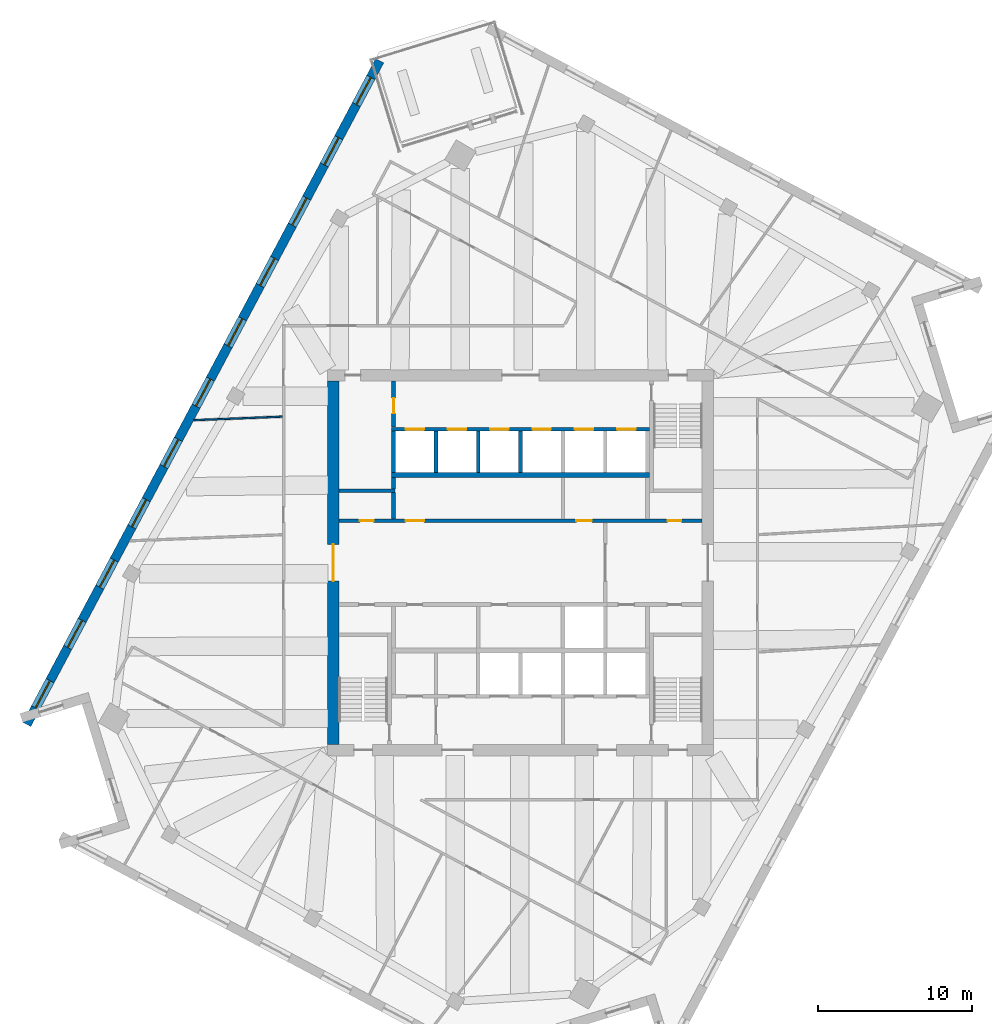
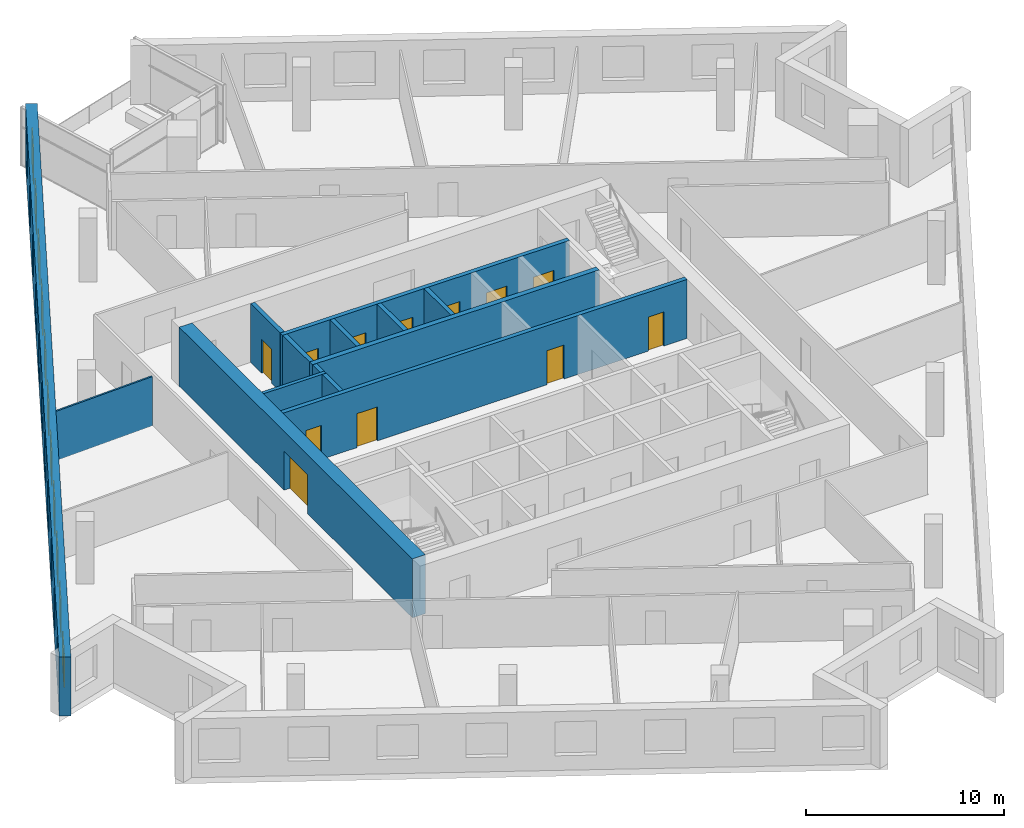
# One storey, part 9 of 13: 14 walls, 12 doors, 11 windows, 23 openings.
"""IFC4 building model written with IfcOpenShell, lengths in metres."""

from ifc_helpers import new_model, si_unit, direction, frame, frame_2d, origin, place, context, subcontext, project, spatial, rectangle, extrude, material, layer, layer_set, type_object, element, fill, save


model = new_model("IFC4")

# Units and contexts
model_context = context("Model", 3, precision=1e-05, world=origin(), true_north=direction((0.0, 1.0)))
body_context = subcontext(model_context, "Body", "Model", "MODEL_VIEW")
ifc_project = project(units=[si_unit("LENGTHUNIT", "METRE"), si_unit("AREAUNIT", "SQUARE_METRE"), si_unit("VOLUMEUNIT", "CUBIC_METRE"), si_unit("PLANEANGLEUNIT", "RADIAN"), si_unit("MASSUNIT", "GRAM", prefix="KILO")], contexts=[model_context])

# Site, building, storey
site_placement = place(None, origin())
site = spatial("IfcSite", under=ifc_project, at=site_placement, CompositionType="ELEMENT")
building_placement = place(site_placement, origin())
building = spatial("IfcBuilding", under=site, at=building_placement, Name="Dilmun Exchange Tower", CompositionType="ELEMENT")
storey_placement = place(building_placement, frame((0.0, 0.0, 274.89990234375)))
storey = spatial("IfcBuildingStorey", under=building, at=storey_placement, Name="L65", CompositionType="ELEMENT", Elevation=274.89990234375)

# Wall
ifc_material_1 = material(Name="Concrete C40/50", Category="concrete")
ifc_layer_1 = layer(ifc_material_1, 0.199951171875)
ifc_layer_set_1 = layer_set([ifc_layer_1], Name="Concrete C40/50")
wall_type_1 = type_object("IfcWallType", Name="Core partition wall 200", PredefinedType="PARTITIONING", material=ifc_layer_set_1)
wall_1_placement = place(storey_placement, frame((-11.794921875, 4.675048828125, 0.0), z_axis=(0.0, 0.0, 1.0), x_axis=(1.0, 0.0, 0.0)))
element("IfcWall", 1, at=wall_1_placement, inside=storey, type_object=wall_type_1, Name="L65 core partition wall 17", PredefinedType="PARTITIONING", context=body_context, shape_type="SweptSolid", body=[
    extrude(rectangle(XDim=3.64501953125, YDim=0.199951171875, at=frame_2d((1.822509765625, 0.0))), origin(), (0.0, 0.0, 1.0), 3.64013671875),
])

# Wall, openings, doors
ifc_layer_2 = layer(ifc_material_1, 0.25)
ifc_layer_set_2 = layer_set([ifc_layer_2], Name="Concrete C40/50")
wall_type_2 = type_object("IfcWallType", Name="Core partition wall 250", PredefinedType="PARTITIONING", material=ifc_layer_set_2)
wall_2_placement = place(storey_placement, frame((-11.794921875, 2.72509765625, 0.0), z_axis=(0.0, 0.0, 1.0), x_axis=(1.0, 0.0, 0.0)))
wall_2 = element("IfcWall", 2, at=wall_2_placement, inside=storey, type_object=wall_type_2, Name="L65 core partition wall 13", PredefinedType="PARTITIONING", context=body_context, shape_type="SweptSolid", body=[
    extrude(rectangle(XDim=23.58984375, YDim=0.25, at=frame_2d((11.794921875, 0.0))), origin(), (0.0, 0.0, 1.0), 3.64013671875),
])
opening_1_placement = place(wall_2_placement, frame((21.344970703125, 0.0, 0.0)))
opening_1 = element("IfcOpeningElement", 3, at=opening_1_placement, cuts=wall_2, Name="Opening CD6", PredefinedType="OPENING", context=body_context, shape_type="SweptSolid", body=[
    extrude(rectangle(XDim=0.89990234375, YDim=2.10009765625, at=frame_2d((0.449951171875, 1.050048828125))), frame((0.0, 0.135009765625, 0.0), z_axis=(0.0, -1.0, 0.0), x_axis=(1.0, 0.0, 0.0)), (0.0, 0.0, 1.0), 0.27001953125),
])
opening_2_placement = place(wall_2_placement, frame((1.344970703125, 0.0, 0.0)))
opening_2 = element("IfcOpeningElement", 4, at=opening_2_placement, cuts=wall_2, Name="Opening CD6", PredefinedType="OPENING", context=body_context, shape_type="SweptSolid", body=[
    extrude(rectangle(XDim=0.89990234375, YDim=2.10009765625, at=frame_2d((0.449951171875, 1.050048828125))), frame((0.0, 0.135009765625, 0.0), z_axis=(0.0, -1.0, 0.0), x_axis=(1.0, 0.0, 0.0)), (0.0, 0.0, 1.0), 0.27001953125),
])
opening_3_placement = place(wall_2_placement, frame((4.320068359375, 0.0, 0.0)))
opening_3 = element("IfcOpeningElement", 5, at=opening_3_placement, cuts=wall_2, Name="Opening CD3", PredefinedType="OPENING", context=body_context, shape_type="SweptSolid", body=[
    extrude(rectangle(XDim=1.199951171875, YDim=2.10009765625, at=frame_2d((0.60009765625, 1.050048828125))), frame((0.0, 0.135009765625, 0.0), z_axis=(0.0, -1.0, 0.0), x_axis=(1.0, 0.0, 0.0)), (0.0, 0.0, 1.0), 0.27001953125),
])
opening_4_placement = place(wall_2_placement, frame((15.419921875, 0.0, 0.0)))
opening_4 = element("IfcOpeningElement", 6, at=opening_4_placement, cuts=wall_2, Name="Opening CD4", PredefinedType="OPENING", context=body_context, shape_type="SweptSolid", body=[
    extrude(rectangle(XDim=1.0, YDim=2.10009765625, at=frame_2d((0.5, 1.050048828125))), frame((0.0, 0.135009765625, 0.0), z_axis=(0.0, -1.0, 0.0), x_axis=(1.0, 0.0, 0.0)), (0.0, 0.0, 1.0), 0.27001953125),
])
ifc_material_2 = material(Name="Fire-rated steel door set", Category="steel")
door_type_1 = type_object("IfcDoorType", Name="Core room door 1000x2100", OperationType="SINGLE_SWING_LEFT", PredefinedType="DOOR", material=ifc_material_2)
door_1_placement = place(opening_4_placement, origin())
door_1 = element("IfcDoor", 7, at=door_1_placement, inside=storey, type_object=door_type_1, Name="L65 door Switch room", OperationType="SINGLE_SWING_RIGHT", OverallHeight=2.10009765625, OverallWidth=1.0, PredefinedType="DOOR", context=body_context, shape_type="SweptSolid", body=[
    extrude(rectangle(XDim=1.0, YDim=2.10009765625, at=frame_2d((0.5, 1.050048828125))), frame((0.0, 0.02490234375, 0.0), z_axis=(0.0, -1.0, 0.0), x_axis=(1.0, 0.0, 0.0)), (0.0, 0.0, 1.0), 0.050048828125),
])
fill(opening_4, door_1)
door_type_2 = type_object("IfcDoorType", Name="Core room door 900x2100", OperationType="SINGLE_SWING_LEFT", PredefinedType="DOOR", material=ifc_material_2)
door_2_placement = place(opening_1_placement, origin())
door_2 = element("IfcDoor", 8, at=door_2_placement, inside=storey, type_object=door_type_2, Name="L65 door Electrical riser", OperationType="SINGLE_SWING_RIGHT", OverallHeight=2.10009765625, OverallWidth=0.89990234375, PredefinedType="DOOR", context=body_context, shape_type="SweptSolid", body=[
    extrude(rectangle(XDim=0.89990234375, YDim=2.10009765625, at=frame_2d((0.449951171875, 1.050048828125))), frame((0.0, 0.02490234375, 0.0), z_axis=(0.0, -1.0, 0.0), x_axis=(1.0, 0.0, 0.0)), (0.0, 0.0, 1.0), 0.050048828125),
])
fill(opening_1, door_2)
door_3_placement = place(opening_2_placement, origin())
door_3 = element("IfcDoor", 9, at=door_3_placement, inside=storey, type_object=door_type_2, Name="L65 door Plumbing riser", OperationType="SINGLE_SWING_RIGHT", OverallHeight=2.10009765625, OverallWidth=0.89990234375, PredefinedType="DOOR", context=body_context, shape_type="SweptSolid", body=[
    extrude(rectangle(XDim=0.89990234375, YDim=2.10009765625, at=frame_2d((0.449951171875, 1.050048828125))), frame((0.0, 0.02490234375, 0.0), z_axis=(0.0, -1.0, 0.0), x_axis=(1.0, 0.0, 0.0)), (0.0, 0.0, 1.0), 0.050048828125),
])
fill(opening_2, door_3)
door_type_3 = type_object("IfcDoorType", Name="Stair exit door 1200x2100", OperationType="SINGLE_SWING_LEFT", PredefinedType="DOOR", material=ifc_material_2)
door_4_placement = place(opening_3_placement, origin())
door_4 = element("IfcDoor", 10, at=door_4_placement, inside=storey, type_object=door_type_3, Name="L65 door Tenant amenity store", OperationType="SINGLE_SWING_LEFT", OverallHeight=2.10009765625, OverallWidth=1.199951171875, PredefinedType="DOOR", context=body_context, shape_type="SweptSolid", body=[
    extrude(rectangle(XDim=1.199951171875, YDim=2.10009765625, at=frame_2d((0.60009765625, 1.050048828125))), frame((0.0, 0.02490234375, 0.0), z_axis=(0.0, -1.0, 0.0), x_axis=(1.0, 0.0, 0.0)), (0.0, 0.0, 1.0), 0.050048828125),
])
fill(opening_3, door_4)

# Walls
wall_3_placement = place(storey_placement, frame((-8.25, 2.85498046875, 0.0), z_axis=(0.0, 0.0, 1.0), x_axis=(0.0, 1.0, 0.0)))
element("IfcWall", 11, at=wall_3_placement, inside=storey, type_object=wall_type_2, Name="L65 core partition wall 14", PredefinedType="PARTITIONING", context=body_context, shape_type="SweptSolid", body=[
    extrude(rectangle(XDim=1.715087890625, YDim=0.25, at=frame_2d((0.857421875, 0.0))), origin(), (0.0, 0.0, 1.0), 3.64013671875),
])
wall_4_placement = place(storey_placement, frame((-8.25, 4.780029296875, 0.0), z_axis=(0.0, 0.0, 1.0), x_axis=(0.0, 1.0, 0.0)))
element("IfcWall", 12, at=wall_4_placement, inside=storey, type_object=wall_type_2, Name="L65 core partition wall 18", PredefinedType="PARTITIONING", context=body_context, shape_type="SweptSolid", body=[
    extrude(rectangle(XDim=0.764892578125, YDim=0.25, at=frame_2d((0.38232421875, 0.0))), origin(), (0.0, 0.0, 1.0), 3.64013671875),
])

# Wall, opening, door
wall_5_placement = place(storey_placement, frame((-8.25, 8.804931640625, 0.0), z_axis=(0.0, 0.0, 1.0), x_axis=(0.0, 1.0, 0.0)))
wall_5 = element("IfcWall", 13, at=wall_5_placement, inside=storey, type_object=wall_type_2, Name="L65 core partition wall 19", PredefinedType="PARTITIONING", context=body_context, shape_type="SweptSolid", body=[
    extrude(rectangle(XDim=2.989990234375, YDim=0.25, at=frame_2d((1.4951171875, 0.0))), origin(), (0.0, 0.0, 1.0), 3.64013671875),
])
opening_5_placement = place(wall_5_placement, frame((0.89501953125, 0.0, 0.0)))
opening_5 = element("IfcOpeningElement", 14, at=opening_5_placement, cuts=wall_5, Name="Opening CD4", PredefinedType="OPENING", context=body_context, shape_type="SweptSolid", body=[
    extrude(rectangle(XDim=1.0, YDim=2.10009765625, at=frame_2d((0.5, 1.050048828125))), frame((0.0, 0.135009765625, 0.0), z_axis=(0.0, -1.0, 0.0), x_axis=(1.0, 0.0, 0.0)), (0.0, 0.0, 1.0), 0.27001953125),
])
door_5_placement = place(opening_5_placement, origin())
door_5 = element("IfcDoor", 15, at=door_5_placement, inside=storey, type_object=door_type_1, Name="L65 door Facilities office", OperationType="SINGLE_SWING_RIGHT", OverallHeight=2.10009765625, OverallWidth=1.0, PredefinedType="DOOR", context=body_context, shape_type="SweptSolid", body=[
    extrude(rectangle(XDim=1.0, YDim=2.10009765625, at=frame_2d((0.5, 1.050048828125))), frame((0.0, 0.02490234375, 0.0), z_axis=(0.0, -1.0, 0.0), x_axis=(1.0, 0.0, 0.0)), (0.0, 0.0, 1.0), 0.050048828125),
])
fill(opening_5, door_5)

ifc_material_3 = material(Name="Concrete C50/60", Category="concrete")
ifc_layer_3 = layer(ifc_material_3, 0.75)
ifc_layer_set_3 = layer_set([ifc_layer_3], Name="Concrete C50/60")
wall_type_3 = type_object("IfcWallType", Name="Core shear wall 750 Concrete C50/60", PredefinedType="SHEAR", material=ifc_layer_set_3)
wall_6_placement = place(storey_placement, frame((-12.175048828125, -11.800048828125, 0.0), z_axis=(0.0, 0.0, 1.0), x_axis=(0.0, 1.0, 0.0)))
wall_6 = element("IfcWall", 16, at=wall_6_placement, inside=storey, type_object=wall_type_3, Name="L65 core shear wall W", PredefinedType="SHEAR", context=body_context, shape_type="SweptSolid", body=[
    extrude(rectangle(XDim=23.60009765625, YDim=0.75, at=frame_2d((11.800048828125, 0.0))), origin(), (0.0, 0.0, 1.0), 3.64013671875),
])
opening_6_placement = place(wall_6_placement, frame((10.60009765625, 0.0, 0.0)))
opening_6 = element("IfcOpeningElement", 17, at=opening_6_placement, cuts=wall_6, Name="Opening CD1", PredefinedType="OPENING", context=body_context, shape_type="SweptSolid", body=[
    extrude(rectangle(XDim=2.39990234375, YDim=2.39990234375, at=frame_2d((1.199951171875, 1.199951171875))), frame((0.0, 0.385009765625, 0.0), z_axis=(0.0, -1.0, 0.0), x_axis=(1.0, 0.0, 0.0)), (0.0, 0.0, 1.0), 0.77001953125),
])
door_type_4 = type_object("IfcDoorType", Name="Core lobby door 2400x2400", OperationType="DOUBLE_DOOR_DOUBLE_SWING", PredefinedType="DOOR", material=ifc_material_2)
door_6_placement = place(opening_6_placement, origin())
door_6 = element("IfcDoor", 18, at=door_6_placement, inside=storey, type_object=door_type_4, Name="L65 door Central lift lobby", OperationType="SINGLE_SWING_LEFT", OverallHeight=2.39990234375, OverallWidth=2.39990234375, PredefinedType="DOOR", context=body_context, shape_type="SweptSolid", body=[
    extrude(rectangle(XDim=2.39990234375, YDim=2.39990234375, at=frame_2d((1.199951171875, 1.199951171875))), frame((0.0, 0.02490234375, 0.0), z_axis=(0.0, -1.0, 0.0), x_axis=(1.0, 0.0, 0.0)), (0.0, 0.0, 1.0), 0.050048828125),
])
fill(opening_6, door_6)

# Wall
ifc_layer_4 = layer(ifc_material_1, 0.300048828125)
ifc_layer_set_4 = layer_set([ifc_layer_4], Name="Concrete C40/50")
wall_type_4 = type_object("IfcWallType", Name="Lift shaft shared wall 300", PredefinedType="SOLIDWALL", material=ifc_layer_set_4)
wall_7_placement = place(storey_placement, frame((-8.375, 5.699951171875, 0.0), z_axis=(0.0, 0.0, 1.0), x_axis=(1.0, 0.0, 0.0)))
element("IfcWall", 19, at=wall_7_placement, inside=storey, type_object=wall_type_4, Name="L65 lift shaft rear wall N", PredefinedType="SOLIDWALL", context=body_context, shape_type="SweptSolid", body=[
    extrude(rectangle(XDim=16.75, YDim=0.300048828125, at=frame_2d((8.375, 0.0))), origin(), (0.0, 0.0, 1.0), 3.64013671875),
])

# Wall, openings, doors
ifc_layer_5 = layer(ifc_material_1, 0.25)
ifc_layer_set_5 = layer_set([ifc_layer_5], Name="Concrete C40/50")
wall_type_5 = type_object("IfcWallType", Name="Lift shaft wall 250", PredefinedType="SOLIDWALL", material=ifc_layer_set_5)
wall_8_placement = place(storey_placement, frame((-8.375, 8.675048828125, 0.0), z_axis=(0.0, 0.0, 1.0), x_axis=(1.0, 0.0, 0.0)))
wall_8 = element("IfcWall", 20, at=wall_8_placement, inside=storey, type_object=wall_type_5, Name="L65 lift shaft front wall N2", PredefinedType="SOLIDWALL", context=body_context, shape_type="SweptSolid", body=[
    extrude(rectangle(XDim=16.75, YDim=0.25, at=frame_2d((8.375, 0.0))), origin(), (0.0, 0.0, 1.0), 3.64013671875),
])
opening_7_placement = place(wall_8_placement, frame((0.89990234375, 0.0, 0.0)))
opening_7 = element("IfcOpeningElement", 21, at=opening_7_placement, cuts=wall_8, Name="Opening LD", PredefinedType="OPENING", context=body_context, shape_type="SweptSolid", body=[
    extrude(rectangle(XDim=1.199951171875, YDim=2.10009765625, at=frame_2d((0.60009765625, 1.050048828125))), frame((0.0, 0.135009765625, 0.0), z_axis=(0.0, -1.0, 0.0), x_axis=(1.0, 0.0, 0.0)), (0.0, 0.0, 1.0), 0.27001953125),
])
opening_8_placement = place(wall_8_placement, frame((3.64990234375, 0.0, 0.0)))
opening_8 = element("IfcOpeningElement", 22, at=opening_8_placement, cuts=wall_8, Name="Opening LD", PredefinedType="OPENING", context=body_context, shape_type="SweptSolid", body=[
    extrude(rectangle(XDim=1.199951171875, YDim=2.10009765625, at=frame_2d((0.60009765625, 1.050048828125))), frame((0.0, 0.135009765625, 0.0), z_axis=(0.0, -1.0, 0.0), x_axis=(1.0, 0.0, 0.0)), (0.0, 0.0, 1.0), 0.27001953125),
])
opening_9_placement = place(wall_8_placement, frame((6.39990234375, 0.0, 0.0)))
opening_9 = element("IfcOpeningElement", 23, at=opening_9_placement, cuts=wall_8, Name="Opening LD", PredefinedType="OPENING", context=body_context, shape_type="SweptSolid", body=[
    extrude(rectangle(XDim=1.199951171875, YDim=2.10009765625, at=frame_2d((0.60009765625, 1.050048828125))), frame((0.0, 0.135009765625, 0.0), z_axis=(0.0, -1.0, 0.0), x_axis=(1.0, 0.0, 0.0)), (0.0, 0.0, 1.0), 0.27001953125),
])
opening_10_placement = place(wall_8_placement, frame((9.14990234375, 0.0, 0.0)))
opening_10 = element("IfcOpeningElement", 24, at=opening_10_placement, cuts=wall_8, Name="Opening LD", PredefinedType="OPENING", context=body_context, shape_type="SweptSolid", body=[
    extrude(rectangle(XDim=1.199951171875, YDim=2.10009765625, at=frame_2d((0.60009765625, 1.050048828125))), frame((0.0, 0.135009765625, 0.0), z_axis=(0.0, -1.0, 0.0), x_axis=(1.0, 0.0, 0.0)), (0.0, 0.0, 1.0), 0.27001953125),
])
opening_11_placement = place(wall_8_placement, frame((11.89990234375, 0.0, 0.0)))
opening_11 = element("IfcOpeningElement", 25, at=opening_11_placement, cuts=wall_8, Name="Opening LD", PredefinedType="OPENING", context=body_context, shape_type="SweptSolid", body=[
    extrude(rectangle(XDim=1.199951171875, YDim=2.10009765625, at=frame_2d((0.60009765625, 1.050048828125))), frame((0.0, 0.135009765625, 0.0), z_axis=(0.0, -1.0, 0.0), x_axis=(1.0, 0.0, 0.0)), (0.0, 0.0, 1.0), 0.27001953125),
])
opening_12_placement = place(wall_8_placement, frame((14.64990234375, 0.0, 0.0)))
opening_12 = element("IfcOpeningElement", 26, at=opening_12_placement, cuts=wall_8, Name="Opening LD", PredefinedType="OPENING", context=body_context, shape_type="SweptSolid", body=[
    extrude(rectangle(XDim=1.199951171875, YDim=2.10009765625, at=frame_2d((0.60009765625, 1.050048828125))), frame((0.0, 0.135009765625, 0.0), z_axis=(0.0, -1.0, 0.0), x_axis=(1.0, 0.0, 0.0)), (0.0, 0.0, 1.0), 0.27001953125),
])
door_type_5 = type_object("IfcDoorType", Name="Lift landing door 1200x2100", OperationType="DOUBLE_DOOR_SLIDING", PredefinedType="DOOR", material=ifc_material_2)
door_7_placement = place(opening_7_placement, origin())
door_7 = element("IfcDoor", 27, at=door_7_placement, inside=storey, type_object=door_type_5, Name="L65 landing door HR1", OperationType="DOUBLE_DOOR_SLIDING", OverallHeight=2.10009765625, OverallWidth=1.199951171875, PredefinedType="DOOR", context=body_context, shape_type="SweptSolid", body=[
    extrude(rectangle(XDim=1.199951171875, YDim=2.10009765625, at=frame_2d((0.60009765625, 1.050048828125))), frame((0.0, 0.02490234375, 0.0), z_axis=(0.0, -1.0, 0.0), x_axis=(1.0, 0.0, 0.0)), (0.0, 0.0, 1.0), 0.050048828125),
])
fill(opening_7, door_7)
door_8_placement = place(opening_8_placement, origin())
door_8 = element("IfcDoor", 28, at=door_8_placement, inside=storey, type_object=door_type_5, Name="L65 landing door HR2", OperationType="DOUBLE_DOOR_SLIDING", OverallHeight=2.10009765625, OverallWidth=1.199951171875, PredefinedType="DOOR", context=body_context, shape_type="SweptSolid", body=[
    extrude(rectangle(XDim=1.199951171875, YDim=2.10009765625, at=frame_2d((0.60009765625, 1.050048828125))), frame((0.0, 0.02490234375, 0.0), z_axis=(0.0, -1.0, 0.0), x_axis=(1.0, 0.0, 0.0)), (0.0, 0.0, 1.0), 0.050048828125),
])
fill(opening_8, door_8)
door_9_placement = place(opening_9_placement, origin())
door_9 = element("IfcDoor", 29, at=door_9_placement, inside=storey, type_object=door_type_5, Name="L65 landing door HR3", OperationType="DOUBLE_DOOR_SLIDING", OverallHeight=2.10009765625, OverallWidth=1.199951171875, PredefinedType="DOOR", context=body_context, shape_type="SweptSolid", body=[
    extrude(rectangle(XDim=1.199951171875, YDim=2.10009765625, at=frame_2d((0.60009765625, 1.050048828125))), frame((0.0, 0.02490234375, 0.0), z_axis=(0.0, -1.0, 0.0), x_axis=(1.0, 0.0, 0.0)), (0.0, 0.0, 1.0), 0.050048828125),
])
fill(opening_9, door_9)
door_10_placement = place(opening_10_placement, origin())
door_10 = element("IfcDoor", 30, at=door_10_placement, inside=storey, type_object=door_type_5, Name="L65 landing door HR4", OperationType="DOUBLE_DOOR_SLIDING", OverallHeight=2.10009765625, OverallWidth=1.199951171875, PredefinedType="DOOR", context=body_context, shape_type="SweptSolid", body=[
    extrude(rectangle(XDim=1.199951171875, YDim=2.10009765625, at=frame_2d((0.60009765625, 1.050048828125))), frame((0.0, 0.02490234375, 0.0), z_axis=(0.0, -1.0, 0.0), x_axis=(1.0, 0.0, 0.0)), (0.0, 0.0, 1.0), 0.050048828125),
])
fill(opening_10, door_10)
door_11_placement = place(opening_11_placement, origin())
door_11 = element("IfcDoor", 31, at=door_11_placement, inside=storey, type_object=door_type_5, Name="L65 landing door HR5", OperationType="DOUBLE_DOOR_SLIDING", OverallHeight=2.10009765625, OverallWidth=1.199951171875, PredefinedType="DOOR", context=body_context, shape_type="SweptSolid", body=[
    extrude(rectangle(XDim=1.199951171875, YDim=2.10009765625, at=frame_2d((0.60009765625, 1.050048828125))), frame((0.0, 0.02490234375, 0.0), z_axis=(0.0, -1.0, 0.0), x_axis=(1.0, 0.0, 0.0)), (0.0, 0.0, 1.0), 0.050048828125),
])
fill(opening_11, door_11)
door_12_placement = place(opening_12_placement, origin())
door_12 = element("IfcDoor", 32, at=door_12_placement, inside=storey, type_object=door_type_5, Name="L65 landing door HR6", OperationType="DOUBLE_DOOR_SLIDING", OverallHeight=2.10009765625, OverallWidth=1.199951171875, PredefinedType="DOOR", context=body_context, shape_type="SweptSolid", body=[
    extrude(rectangle(XDim=1.199951171875, YDim=2.10009765625, at=frame_2d((0.60009765625, 1.050048828125))), frame((0.0, 0.02490234375, 0.0), z_axis=(0.0, -1.0, 0.0), x_axis=(1.0, 0.0, 0.0)), (0.0, 0.0, 1.0), 0.050048828125),
])
fill(opening_12, door_12)

# Walls
for number, where, z_axis, x_axis, name in (
    (33, (-8.25, 5.85009765625, 0.0), (0.0, 0.0, 1.0), (0.0, 1.0, 0.0), "L65 lift shaft divider N20"),
    (34, (-5.5, 5.85009765625, 0.0), (0.0, 0.0, 1.0), (0.0, 1.0, 0.0), "L65 lift shaft divider N21"),
    (35, (-2.75, 5.85009765625, 0.0), (0.0, 0.0, 1.0), (0.0, 1.0, 0.0), "L65 lift shaft divider N22"),
    (36, (0.0, 5.85009765625, 0.0), (0.0, 0.0, 1.0), (0.0, 1.0, 0.0), "L65 lift shaft divider N23"),
):
    element("IfcWall", number, at=place(storey_placement, frame(where, z_axis=z_axis, x_axis=x_axis)), inside=storey, type_object=wall_type_5, Name=name, PredefinedType="SOLIDWALL", context=body_context, shape_type="SweptSolid", body=[
        extrude(rectangle(XDim=2.699951171875, YDim=0.25, at=frame_2d((1.35009765625, 0.0))), origin(), (0.0, 0.0, 1.0), 3.64013671875),
    ])
ifc_material_4 = material(Name="Partition 100")
ifc_layer_6 = layer(ifc_material_4, 0.10009765625)
ifc_layer_set_6 = layer_set([ifc_layer_6], Name="Partition 100")
wall_type_6 = type_object("IfcWallType", Name="Partition 100", PredefinedType="PARTITIONING", material=ifc_layer_set_6)
wall_9_placement = place(storey_placement, frame((-21.235107421875, 9.262939453125, 0.0), z_axis=(0.0, 0.0, 1.0), x_axis=(0.999203325676, 0.039908820555, 0.0)))
element("IfcWall", 37, at=wall_9_placement, inside=storey, type_object=wall_type_6, Name="Partition", PredefinedType="PARTITIONING", context=body_context, shape_type="SweptSolid", body=[
    extrude(rectangle(XDim=5.7626953125, YDim=0.10009765625, at=frame_2d((2.88134765625, 0.0))), origin(), (0.0, 0.0, 1.0), 3.0400390625),
])

# Wall, openings, windows
ifc_material_5 = material(Name="Precast concrete C50/60", Category="concrete")
ifc_layer_7 = layer(ifc_material_5, 0.60009765625)
ifc_layer_set_7 = layer_set([ifc_layer_7], Name="Precast concrete C50/60")
wall_type_7 = type_object("IfcWallType", Name="Precast stone-clad wall 600", PredefinedType="STANDARD", material=ifc_layer_set_7)
wall_10_placement = place(storey_placement, frame((-9.158935546875, 32.617919921875, 0.0), z_axis=(0.0, 0.0, 1.0), x_axis=(-0.469470468388, -0.88294817476, 0.0)))
wall_10 = element("IfcWall", 38, at=wall_10_placement, inside=storey, type_object=wall_type_7, Name="Facade wall L65-03", PredefinedType="STANDARD", context=body_context, shape_type="SweptSolid", body=[
    extrude(rectangle(XDim=48.84326171875, YDim=0.60009765625, at=frame_2d((24.421630859375, 0.0))), origin(), (0.0, 0.0, 1.0), 3.64013671875),
])
opening_13_placement = place(wall_10_placement, frame((1.22021484375, 0.0, 0.89990234375)))
opening_13 = element("IfcOpeningElement", 39, at=opening_13_placement, cuts=wall_10, Name="Opening W200-210", PredefinedType="OPENING", context=body_context, shape_type="SweptSolid", body=[
    extrude(rectangle(XDim=2.0, YDim=2.10009765625, at=frame_2d((1.0, 1.050048828125))), frame((0.0, 0.31005859375, 0.0), z_axis=(0.0, -1.0, 0.0), x_axis=(1.0, 0.0, 0.0)), (0.0, 0.0, 1.0), 0.6201171875),
])
opening_14_placement = place(wall_10_placement, frame((5.660400390625, 0.0, 0.89990234375)))
opening_14 = element("IfcOpeningElement", 40, at=opening_14_placement, cuts=wall_10, Name="Opening W200-210", PredefinedType="OPENING", context=body_context, shape_type="SweptSolid", body=[
    extrude(rectangle(XDim=2.0, YDim=2.10009765625, at=frame_2d((1.0, 1.050048828125))), frame((0.0, 0.31005859375, 0.0), z_axis=(0.0, -1.0, 0.0), x_axis=(1.0, 0.0, 0.0)), (0.0, 0.0, 1.0), 0.6201171875),
])
opening_15_placement = place(wall_10_placement, frame((10.1005859375, 0.0, 0.89990234375)))
opening_15 = element("IfcOpeningElement", 41, at=opening_15_placement, cuts=wall_10, Name="Opening W200-210", PredefinedType="OPENING", context=body_context, shape_type="SweptSolid", body=[
    extrude(rectangle(XDim=2.0, YDim=2.10009765625, at=frame_2d((1.0, 1.050048828125))), frame((0.0, 0.31005859375, 0.0), z_axis=(0.0, -1.0, 0.0), x_axis=(1.0, 0.0, 0.0)), (0.0, 0.0, 1.0), 0.6201171875),
])
opening_16_placement = place(wall_10_placement, frame((14.541015625, 0.0, 0.89990234375)))
opening_16 = element("IfcOpeningElement", 42, at=opening_16_placement, cuts=wall_10, Name="Opening W200-210", PredefinedType="OPENING", context=body_context, shape_type="SweptSolid", body=[
    extrude(rectangle(XDim=2.0, YDim=2.10009765625, at=frame_2d((1.0, 1.050048828125))), frame((0.0, 0.31005859375, 0.0), z_axis=(0.0, -1.0, 0.0), x_axis=(1.0, 0.0, 0.0)), (0.0, 0.0, 1.0), 0.6201171875),
])
opening_17_placement = place(wall_10_placement, frame((18.981201171875, 0.0, 0.89990234375)))
opening_17 = element("IfcOpeningElement", 43, at=opening_17_placement, cuts=wall_10, Name="Opening W200-210", PredefinedType="OPENING", context=body_context, shape_type="SweptSolid", body=[
    extrude(rectangle(XDim=2.0, YDim=2.10009765625, at=frame_2d((1.0, 1.050048828125))), frame((0.0, 0.31005859375, 0.0), z_axis=(0.0, -1.0, 0.0), x_axis=(1.0, 0.0, 0.0)), (0.0, 0.0, 1.0), 0.6201171875),
])
opening_18_placement = place(wall_10_placement, frame((23.421630859375, 0.0, 0.89990234375)))
opening_18 = element("IfcOpeningElement", 44, at=opening_18_placement, cuts=wall_10, Name="Opening W200-210", PredefinedType="OPENING", context=body_context, shape_type="SweptSolid", body=[
    extrude(rectangle(XDim=2.0, YDim=2.10009765625, at=frame_2d((1.0, 1.050048828125))), frame((0.0, 0.31005859375, 0.0), z_axis=(0.0, -1.0, 0.0), x_axis=(1.0, 0.0, 0.0)), (0.0, 0.0, 1.0), 0.6201171875),
])
opening_19_placement = place(wall_10_placement, frame((27.86181640625, 0.0, 0.89990234375)))
opening_19 = element("IfcOpeningElement", 45, at=opening_19_placement, cuts=wall_10, Name="Opening W200-210", PredefinedType="OPENING", context=body_context, shape_type="SweptSolid", body=[
    extrude(rectangle(XDim=2.0, YDim=2.10009765625, at=frame_2d((1.0, 1.050048828125))), frame((0.0, 0.31005859375, 0.0), z_axis=(0.0, -1.0, 0.0), x_axis=(1.0, 0.0, 0.0)), (0.0, 0.0, 1.0), 0.6201171875),
])
opening_20_placement = place(wall_10_placement, frame((32.302001953125, 0.0, 0.89990234375)))
opening_20 = element("IfcOpeningElement", 46, at=opening_20_placement, cuts=wall_10, Name="Opening W200-210", PredefinedType="OPENING", context=body_context, shape_type="SweptSolid", body=[
    extrude(rectangle(XDim=2.0, YDim=2.10009765625, at=frame_2d((1.0, 1.050048828125))), frame((0.0, 0.31005859375, 0.0), z_axis=(0.0, -1.0, 0.0), x_axis=(1.0, 0.0, 0.0)), (0.0, 0.0, 1.0), 0.6201171875),
])
opening_21_placement = place(wall_10_placement, frame((36.742431640625, 0.0, 0.89990234375)))
opening_21 = element("IfcOpeningElement", 47, at=opening_21_placement, cuts=wall_10, Name="Opening W200-210", PredefinedType="OPENING", context=body_context, shape_type="SweptSolid", body=[
    extrude(rectangle(XDim=2.0, YDim=2.10009765625, at=frame_2d((1.0, 1.050048828125))), frame((0.0, 0.31005859375, 0.0), z_axis=(0.0, -1.0, 0.0), x_axis=(1.0, 0.0, 0.0)), (0.0, 0.0, 1.0), 0.6201171875),
])
opening_22_placement = place(wall_10_placement, frame((41.1826171875, 0.0, 0.89990234375)))
opening_22 = element("IfcOpeningElement", 48, at=opening_22_placement, cuts=wall_10, Name="Opening W200-210", PredefinedType="OPENING", context=body_context, shape_type="SweptSolid", body=[
    extrude(rectangle(XDim=2.0, YDim=2.10009765625, at=frame_2d((1.0, 1.050048828125))), frame((0.0, 0.31005859375, 0.0), z_axis=(0.0, -1.0, 0.0), x_axis=(1.0, 0.0, 0.0)), (0.0, 0.0, 1.0), 0.6201171875),
])
opening_23_placement = place(wall_10_placement, frame((45.623046875, 0.0, 0.89990234375)))
opening_23 = element("IfcOpeningElement", 49, at=opening_23_placement, cuts=wall_10, Name="Opening W200-210", PredefinedType="OPENING", context=body_context, shape_type="SweptSolid", body=[
    extrude(rectangle(XDim=2.0, YDim=2.10009765625, at=frame_2d((1.0, 1.050048828125))), frame((0.0, 0.31005859375, 0.0), z_axis=(0.0, -1.0, 0.0), x_axis=(1.0, 0.0, 0.0)), (0.0, 0.0, 1.0), 0.6201171875),
])
ifc_material_6 = material(Name="Clear low-emissivity glass in aluminium frame", Category="aluminium")
window_type = type_object("IfcWindowType", Name="Punched window 2000 x 2100", PartitioningType="DOUBLE_PANEL_VERTICAL", PredefinedType="WINDOW", material=ifc_material_6)
window_1_placement = place(opening_13_placement, origin())
window_1 = element("IfcWindow", 50, at=window_1_placement, inside=storey, type_object=window_type, Name="Window 4.1", OverallHeight=2.10009765625, OverallWidth=2.0, PartitioningType="SINGLE_PANEL", PredefinedType="WINDOW", context=body_context, shape_type="SweptSolid", body=[
    extrude(rectangle(XDim=2.0, YDim=2.10009765625, at=frame_2d((1.0, 1.050048828125))), frame((0.0, 0.030029296875, 0.0), z_axis=(0.0, -1.0, 0.0), x_axis=(1.0, 0.0, 0.0)), (0.0, 0.0, 1.0), 0.06005859375),
])
fill(opening_13, window_1)
window_2_placement = place(opening_14_placement, origin())
window_2 = element("IfcWindow", 51, at=window_2_placement, inside=storey, type_object=window_type, Name="Window 4.2", OverallHeight=2.10009765625, OverallWidth=2.0, PartitioningType="SINGLE_PANEL", PredefinedType="WINDOW", context=body_context, shape_type="SweptSolid", body=[
    extrude(rectangle(XDim=2.0, YDim=2.10009765625, at=frame_2d((1.0, 1.050048828125))), frame((0.0, 0.030029296875, 0.0), z_axis=(0.0, -1.0, 0.0), x_axis=(1.0, 0.0, 0.0)), (0.0, 0.0, 1.0), 0.06005859375),
])
fill(opening_14, window_2)
window_3_placement = place(opening_15_placement, origin())
window_3 = element("IfcWindow", 52, at=window_3_placement, inside=storey, type_object=window_type, Name="Window 4.3", OverallHeight=2.10009765625, OverallWidth=2.0, PartitioningType="SINGLE_PANEL", PredefinedType="WINDOW", context=body_context, shape_type="SweptSolid", body=[
    extrude(rectangle(XDim=2.0, YDim=2.10009765625, at=frame_2d((1.0, 1.050048828125))), frame((0.0, 0.030029296875, 0.0), z_axis=(0.0, -1.0, 0.0), x_axis=(1.0, 0.0, 0.0)), (0.0, 0.0, 1.0), 0.06005859375),
])
fill(opening_15, window_3)
window_4_placement = place(opening_16_placement, origin())
window_4 = element("IfcWindow", 53, at=window_4_placement, inside=storey, type_object=window_type, Name="Window 4.4", OverallHeight=2.10009765625, OverallWidth=2.0, PartitioningType="SINGLE_PANEL", PredefinedType="WINDOW", context=body_context, shape_type="SweptSolid", body=[
    extrude(rectangle(XDim=2.0, YDim=2.10009765625, at=frame_2d((1.0, 1.050048828125))), frame((0.0, 0.030029296875, 0.0), z_axis=(0.0, -1.0, 0.0), x_axis=(1.0, 0.0, 0.0)), (0.0, 0.0, 1.0), 0.06005859375),
])
fill(opening_16, window_4)
window_5_placement = place(opening_17_placement, origin())
window_5 = element("IfcWindow", 54, at=window_5_placement, inside=storey, type_object=window_type, Name="Window 4.5", OverallHeight=2.10009765625, OverallWidth=2.0, PartitioningType="SINGLE_PANEL", PredefinedType="WINDOW", context=body_context, shape_type="SweptSolid", body=[
    extrude(rectangle(XDim=2.0, YDim=2.10009765625, at=frame_2d((1.0, 1.050048828125))), frame((0.0, 0.030029296875, 0.0), z_axis=(0.0, -1.0, 0.0), x_axis=(1.0, 0.0, 0.0)), (0.0, 0.0, 1.0), 0.06005859375),
])
fill(opening_17, window_5)
window_6_placement = place(opening_18_placement, origin())
window_6 = element("IfcWindow", 55, at=window_6_placement, inside=storey, type_object=window_type, Name="Window 4.6", OverallHeight=2.10009765625, OverallWidth=2.0, PartitioningType="SINGLE_PANEL", PredefinedType="WINDOW", context=body_context, shape_type="SweptSolid", body=[
    extrude(rectangle(XDim=2.0, YDim=2.10009765625, at=frame_2d((1.0, 1.050048828125))), frame((0.0, 0.030029296875, 0.0), z_axis=(0.0, -1.0, 0.0), x_axis=(1.0, 0.0, 0.0)), (0.0, 0.0, 1.0), 0.06005859375),
])
fill(opening_18, window_6)
window_7_placement = place(opening_19_placement, origin())
window_7 = element("IfcWindow", 56, at=window_7_placement, inside=storey, type_object=window_type, Name="Window 4.7", OverallHeight=2.10009765625, OverallWidth=2.0, PartitioningType="SINGLE_PANEL", PredefinedType="WINDOW", context=body_context, shape_type="SweptSolid", body=[
    extrude(rectangle(XDim=2.0, YDim=2.10009765625, at=frame_2d((1.0, 1.050048828125))), frame((0.0, 0.030029296875, 0.0), z_axis=(0.0, -1.0, 0.0), x_axis=(1.0, 0.0, 0.0)), (0.0, 0.0, 1.0), 0.06005859375),
])
fill(opening_19, window_7)
window_8_placement = place(opening_20_placement, origin())
window_8 = element("IfcWindow", 57, at=window_8_placement, inside=storey, type_object=window_type, Name="Window 4.8", OverallHeight=2.10009765625, OverallWidth=2.0, PartitioningType="SINGLE_PANEL", PredefinedType="WINDOW", context=body_context, shape_type="SweptSolid", body=[
    extrude(rectangle(XDim=2.0, YDim=2.10009765625, at=frame_2d((1.0, 1.050048828125))), frame((0.0, 0.030029296875, 0.0), z_axis=(0.0, -1.0, 0.0), x_axis=(1.0, 0.0, 0.0)), (0.0, 0.0, 1.0), 0.06005859375),
])
fill(opening_20, window_8)
window_9_placement = place(opening_21_placement, origin())
window_9 = element("IfcWindow", 58, at=window_9_placement, inside=storey, type_object=window_type, Name="Window 4.9", OverallHeight=2.10009765625, OverallWidth=2.0, PartitioningType="SINGLE_PANEL", PredefinedType="WINDOW", context=body_context, shape_type="SweptSolid", body=[
    extrude(rectangle(XDim=2.0, YDim=2.10009765625, at=frame_2d((1.0, 1.050048828125))), frame((0.0, 0.030029296875, 0.0), z_axis=(0.0, -1.0, 0.0), x_axis=(1.0, 0.0, 0.0)), (0.0, 0.0, 1.0), 0.06005859375),
])
fill(opening_21, window_9)
window_10_placement = place(opening_22_placement, origin())
window_10 = element("IfcWindow", 59, at=window_10_placement, inside=storey, type_object=window_type, Name="Window 4.10", OverallHeight=2.10009765625, OverallWidth=2.0, PartitioningType="SINGLE_PANEL", PredefinedType="WINDOW", context=body_context, shape_type="SweptSolid", body=[
    extrude(rectangle(XDim=2.0, YDim=2.10009765625, at=frame_2d((1.0, 1.050048828125))), frame((0.0, 0.030029296875, 0.0), z_axis=(0.0, -1.0, 0.0), x_axis=(1.0, 0.0, 0.0)), (0.0, 0.0, 1.0), 0.06005859375),
])
fill(opening_22, window_10)
window_11_placement = place(opening_23_placement, origin())
window_11 = element("IfcWindow", 60, at=window_11_placement, inside=storey, type_object=window_type, Name="Window 4.11", OverallHeight=2.10009765625, OverallWidth=2.0, PartitioningType="SINGLE_PANEL", PredefinedType="WINDOW", context=body_context, shape_type="SweptSolid", body=[
    extrude(rectangle(XDim=2.0, YDim=2.10009765625, at=frame_2d((1.0, 1.050048828125))), frame((0.0, 0.030029296875, 0.0), z_axis=(0.0, -1.0, 0.0), x_axis=(1.0, 0.0, 0.0)), (0.0, 0.0, 1.0), 0.06005859375),
])
fill(opening_23, window_11)

save(model, "model.ifc")
